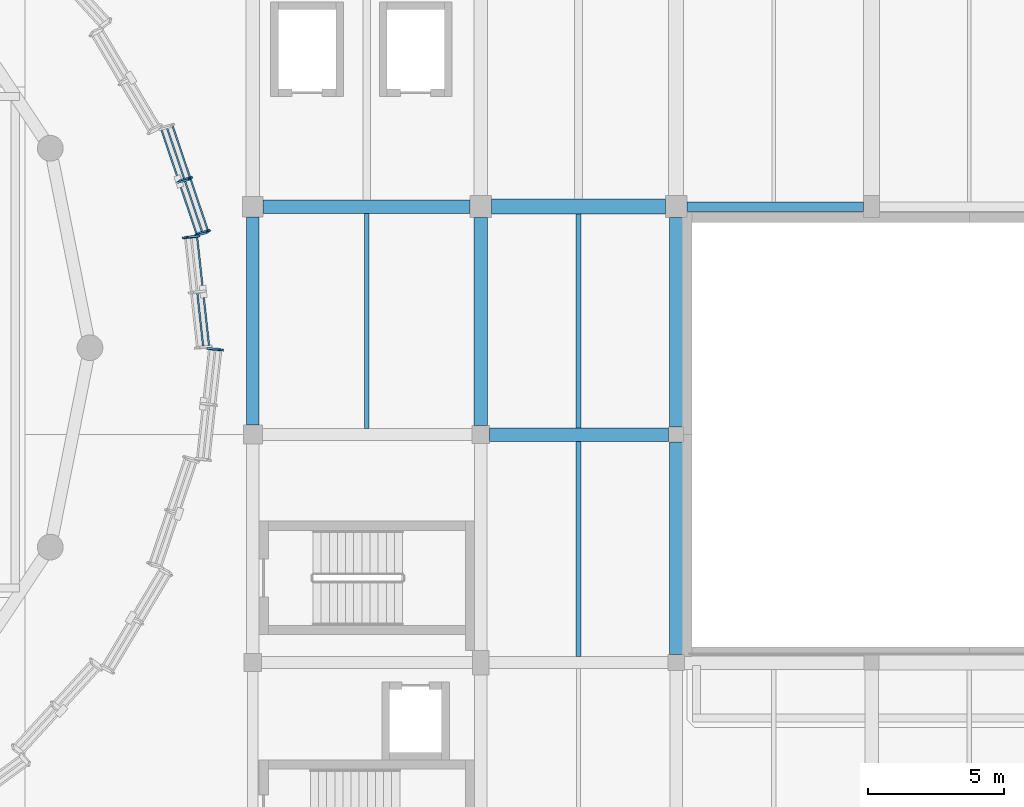
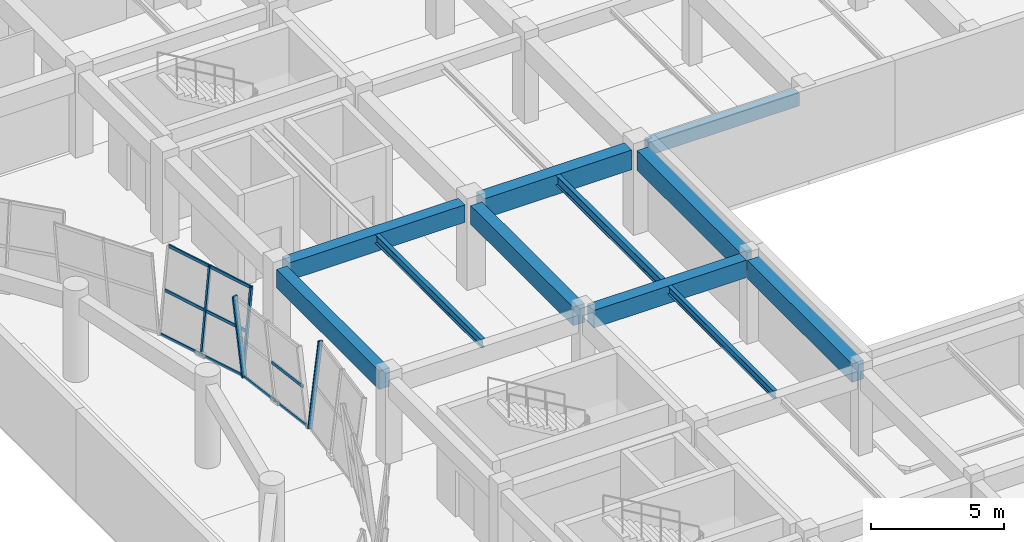
# One storey, part 31 of 71: 13 members, 11 beams, 3 elements without a shape of their own.
"""IFC4 building model written with IfcOpenShell, lengths in metres."""

from ifc_helpers import new_model, si_unit, direction, frame, origin, origin_2d, place, context, subcontext, project, spatial, rectangle, hollow_rectangle, i_section, extrude, material, material_profile, profile_set, type_object, element, aggregate, save


model = new_model("IFC4")

# Units and contexts
model_context = context("Model", 3, precision=1e-05, world=origin(), true_north=direction((0.0, 1.0)))
body_context = subcontext(model_context, "Body", "Model", "MODEL_VIEW")
ifc_project = project(units=[si_unit("LENGTHUNIT", "METRE"), si_unit("AREAUNIT", "SQUARE_METRE"), si_unit("VOLUMEUNIT", "CUBIC_METRE"), si_unit("PLANEANGLEUNIT", "RADIAN"), si_unit("MASSUNIT", "GRAM", prefix="KILO")], contexts=[model_context])

# Site, building, storey
site_placement = place(None, origin())
site = spatial("IfcSite", under=ifc_project, at=site_placement, CompositionType="ELEMENT")
building_placement = place(site_placement, origin())
building = spatial("IfcBuilding", under=site, at=building_placement, Name="Korsvaeld Concert Hall", CompositionType="ELEMENT")
storey_placement = place(building_placement, frame((0.0, 0.0, 4.800048828125)))
storey = spatial("IfcBuildingStorey", under=building, at=storey_placement, Name="L01", CompositionType="ELEMENT", Elevation=4.800048828125)

# Beams
ifc_material_1 = material(Name="Concrete C35/45", Category="concrete")
ifc_material_profile_1 = material_profile(ifc_material_1, rectangle(XDim=0.35009765625, YDim=0.60009765625, at=origin_2d()), Name="RC 350x600")
ifc_profile_set_1 = profile_set([ifc_material_profile_1], Name="Concrete C35/45")
beam_type_1 = type_object("IfcBeamType", Name="BM-RC-350x600", PredefinedType="T_BEAM", material=ifc_profile_set_1)
beam_1_placement = place(storey_placement, frame((125.199951171875, 68.39990234375, 3.5400390625), z_axis=(1.0, 0.0, 0.0), x_axis=(0.0, 1.0, 0.0)))
element("IfcBeam", 1, at=beam_1_placement, inside=storey, type_object=beam_type_1, Name="Primary girder 17-18/K L01", PredefinedType="T_BEAM", context=body_context, shape_type="SweptSolid", body=[
    extrude(rectangle(XDim=0.35009765625, YDim=0.60009765625, at=origin_2d()), origin(), (0.0, 0.0, 1.0), 6.5),
])
ifc_material_2 = material(Name="Concrete C40/50", Category="concrete")
ifc_material_profile_2 = material_profile(ifc_material_2, rectangle(XDim=0.449951171875, YDim=0.85009765625, at=origin_2d()), Name="RC 450x850")
ifc_profile_set_2 = profile_set([ifc_material_profile_2], Name="Concrete C40/50")
beam_type_2 = type_object("IfcBeamType", Name="BM-RC-450x850", PredefinedType="T_BEAM", material=ifc_profile_set_2)
beam_2_placement = place(storey_placement, frame((109.199951171875, 60.35009765625, 3.4150390625), z_axis=(0.0, 1.0, 0.0), x_axis=(-1.0, 0.0, 0.0)))
element("IfcBeam", 2, at=beam_2_placement, inside=storey, type_object=beam_type_2, Name="Primary girder 15/J-K L01", PredefinedType="T_BEAM", context=body_context, shape_type="SweptSolid", body=[
    extrude(rectangle(XDim=0.449951171875, YDim=0.85009765625, at=origin_2d()), origin(), (0.0, 0.0, 1.0), 7.6748046875),
])
ifc_material_profile_3 = material_profile(ifc_material_2, rectangle(XDim=0.5, YDim=0.800048828125, at=origin_2d()), Name="RC 500x800")
ifc_profile_set_3 = profile_set([ifc_material_profile_3], Name="Concrete C40/50")
beam_type_3 = type_object("IfcBeamType", Name="BM-RC-500x800", PredefinedType="T_BEAM", material=ifc_profile_set_3)
beam_3_placement = place(storey_placement, frame((117.925048828125, 60.0, 3.43994140625), z_axis=(1.0, 0.0, 0.0), x_axis=(0.0, 1.0, 0.0)))
element("IfcBeam", 3, at=beam_3_placement, inside=storey, type_object=beam_type_3, Name="Primary girder 16-17/J L01", PredefinedType="T_BEAM", context=body_context, shape_type="SweptSolid", body=[
    extrude(rectangle(XDim=0.5, YDim=0.800048828125, at=origin_2d()), origin(), (0.0, 0.0, 1.0), 6.599853515625),
])
beam_4_placement = place(storey_placement, frame((109.574951171875, 68.39990234375, 3.43994140625), z_axis=(1.0, 0.0, 0.0), x_axis=(0.0, 1.0, 0.0)))
element("IfcBeam", 4, at=beam_4_placement, inside=storey, type_object=beam_type_3, Name="Primary girder 15-16/K L01", PredefinedType="T_BEAM", context=body_context, shape_type="SweptSolid", body=[
    extrude(rectangle(XDim=0.5, YDim=0.800048828125, at=origin_2d()), origin(), (0.0, 0.0, 1.0), 7.625),
])
ifc_material_profile_4 = material_profile(ifc_material_2, rectangle(XDim=0.5, YDim=0.85009765625, at=origin_2d()), Name="RC 500x850")
ifc_profile_set_4 = profile_set([ifc_material_profile_4], Name="Concrete C40/50")
beam_type_4 = type_object("IfcBeamType", Name="BM-RC-500x850", PredefinedType="T_BEAM", material=ifc_profile_set_4)
beam_5_placement = place(storey_placement, frame((117.60009765625, 60.324951171875, 3.4150390625), z_axis=(0.0, 1.0, 0.0), x_axis=(-1.0, 0.0, 0.0)))
element("IfcBeam", 5, at=beam_5_placement, inside=storey, type_object=beam_type_4, Name="Primary girder 16/J-K L01", PredefinedType="T_BEAM", context=body_context, shape_type="SweptSolid", body=[
    extrude(rectangle(XDim=0.5, YDim=0.85009765625, at=origin_2d()), origin(), (0.0, 0.0, 1.0), 7.675048828125),
])
beam_6_placement = place(storey_placement, frame((124.800048828125, 51.89990234375, 3.4150390625), z_axis=(0.0, 1.0, 0.0), x_axis=(-1.0, 0.0, 0.0)))
element("IfcBeam", 6, at=beam_6_placement, inside=storey, type_object=beam_type_4, Name="Primary girder 17/H-J L01", PredefinedType="T_BEAM", context=body_context, shape_type="SweptSolid", body=[
    extrude(rectangle(XDim=0.5, YDim=0.85009765625, at=origin_2d()), origin(), (0.0, 0.0, 1.0), 7.8251953125),
])
ifc_material_profile_5 = material_profile(ifc_material_2, rectangle(XDim=0.5, YDim=0.89990234375, at=origin_2d()), Name="RC 500x900")
ifc_profile_set_5 = profile_set([ifc_material_profile_5], Name="Concrete C40/50")
beam_type_5 = type_object("IfcBeamType", Name="BM-RC-500x900", PredefinedType="T_BEAM", material=ifc_profile_set_5)
beam_7_placement = place(storey_placement, frame((124.800048828125, 60.27490234375, 3.389892578125), z_axis=(0.0, 1.0, 0.0), x_axis=(-1.0, 0.0, 0.0)))
element("IfcBeam", 7, at=beam_7_placement, inside=storey, type_object=beam_type_5, Name="Primary girder 17/J-K L01", PredefinedType="T_BEAM", context=body_context, shape_type="SweptSolid", body=[
    extrude(rectangle(XDim=0.5, YDim=0.89990234375, at=origin_2d()), origin(), (0.0, 0.0, 1.0), 7.72509765625),
])
ifc_material_profile_6 = material_profile(ifc_material_2, rectangle(XDim=0.550048828125, YDim=0.89990234375, at=origin_2d()), Name="RC 550x900")
ifc_profile_set_6 = profile_set([ifc_material_profile_6], Name="Concrete C40/50")
beam_type_6 = type_object("IfcBeamType", Name="BM-RC-550x900", PredefinedType="T_BEAM", material=ifc_profile_set_6)
beam_8_placement = place(storey_placement, frame((118.0, 68.39990234375, 3.389892578125), z_axis=(1.0, 0.0, 0.0), x_axis=(0.0, 1.0, 0.0)))
element("IfcBeam", 8, at=beam_8_placement, inside=storey, type_object=beam_type_6, Name="Primary girder 16-17/K L01", PredefinedType="T_BEAM", context=body_context, shape_type="SweptSolid", body=[
    extrude(rectangle(XDim=0.550048828125, YDim=0.89990234375, at=origin_2d()), origin(), (0.0, 0.0, 1.0), 6.39990234375),
])
ifc_material_3 = material(Name="Steel S355J2", Category="steel")
ifc_material_profile_7 = material_profile(ifc_material_3, i_section(OverallWidth=0.169921875, OverallDepth=0.360107421875, WebThickness=0.008056640625, FlangeThickness=0.0126953125, FilletRadius=0.01806640625, at=origin_2d()), Name="IPE 360")
ifc_profile_set_7 = profile_set([ifc_material_profile_7], Name="Steel S355J2")
beam_type_7 = type_object("IfcBeamType", Name="BM-STL-IPE360", PredefinedType="BEAM", material=ifc_profile_set_7)
beam_9_placement = place(storey_placement, frame((121.199951171875, 51.824951171875, 3.659912109375), z_axis=(0.0, 1.0, 0.0), x_axis=(-1.0, 0.0, 0.0)))
element("IfcBeam", 9, at=beam_9_placement, inside=storey, type_object=beam_type_7, Name="Secondary steel floor beam 16-17/H L01", PredefinedType="BEAM", context=body_context, shape_type="SweptSolid", body=[
    extrude(i_section(OverallWidth=0.169921875, OverallDepth=0.360107421875, WebThickness=0.008056640625, FlangeThickness=0.0126953125, FilletRadius=0.01806640625, at=origin_2d()), origin(), (0.0, 0.0, 1.0), 7.925048828125),
])
ifc_material_profile_8 = material_profile(ifc_material_3, i_section(OverallWidth=0.179931640625, OverallDepth=0.39990234375, WebThickness=0.008544921875, FlangeThickness=0.013427734375, FilletRadius=0.02099609375, at=origin_2d()), Name="IPE 400")
ifc_profile_set_8 = profile_set([ifc_material_profile_8], Name="Steel S355J2")
beam_type_8 = type_object("IfcBeamType", Name="BM-STL-IPE400", PredefinedType="BEAM", material=ifc_profile_set_8)
beam_10_placement = place(storey_placement, frame((113.39990234375, 60.22509765625, 3.639892578125), z_axis=(0.0, 1.0, 0.0), x_axis=(-1.0, 0.0, 0.0)))
element("IfcBeam", 10, at=beam_10_placement, inside=storey, type_object=beam_type_8, Name="Secondary steel floor beam 15-16/J L01", PredefinedType="BEAM", context=body_context, shape_type="SweptSolid", body=[
    extrude(i_section(OverallWidth=0.179931640625, OverallDepth=0.39990234375, WebThickness=0.008544921875, FlangeThickness=0.013427734375, FilletRadius=0.02099609375, at=origin_2d()), origin(), (0.0, 0.0, 1.0), 7.9248046875),
])
ifc_material_profile_9 = material_profile(ifc_material_3, i_section(OverallWidth=0.18994140625, OverallDepth=0.449951171875, WebThickness=0.009521484375, FlangeThickness=0.0146484375, FilletRadius=0.02099609375, at=origin_2d()), Name="IPE 450")
ifc_profile_set_9 = profile_set([ifc_material_profile_9], Name="Steel S355J2")
beam_type_9 = type_object("IfcBeamType", Name="BM-STL-IPE450", PredefinedType="BEAM", material=ifc_profile_set_9)
beam_11_placement = place(storey_placement, frame((121.199951171875, 60.25, 3.614990234375), z_axis=(0.0, 1.0, 0.0), x_axis=(-1.0, 0.0, 0.0)))
element("IfcBeam", 11, at=beam_11_placement, inside=storey, type_object=beam_type_9, Name="Secondary steel floor beam 16-17/J L01", PredefinedType="BEAM", context=body_context, shape_type="SweptSolid", body=[
    extrude(i_section(OverallWidth=0.18994140625, OverallDepth=0.449951171875, WebThickness=0.009521484375, FlangeThickness=0.0146484375, FilletRadius=0.02099609375, at=origin_2d()), origin(), (0.0, 0.0, 1.0), 7.875),
])

# Curtain wall, members
ifc_material_4 = material(Name="Anodised bronze and ceramic-fritted safety glass", Category="glass")
curtain_wall_type_1 = type_object("IfcCurtainWallType", Name="CW-TYPE-02", PredefinedType="USERDEFINED", material=ifc_material_4)
curtain_wall_1_placement = place(storey_placement, origin())
curtain_wall_1 = element("IfcCurtainWall", 12, at=curtain_wall_1_placement, inside=storey, type_object=curtain_wall_type_1, Name="Crystal curtain-wall facet L01 F02", ObjectType="CURTAIN WALL", PredefinedType="USERDEFINED")
ifc_material_5 = material(Name="Anodised architectural bronze aluminium", Category="aluminium")
ifc_material_profile_10 = material_profile(ifc_material_5, hollow_rectangle(XDim=0.074951171875, YDim=0.179931640625, WallThickness=0.0048828125, at=origin_2d()), Name="CWM 180x75x5")
ifc_profile_set_10 = profile_set([ifc_material_profile_10], Name="Anodised architectural bronze aluminium")
member_type_1 = type_object("IfcMemberType", Name="CWM-BRONZE-180x75", PredefinedType="MULLION", material=ifc_profile_set_10)
member_1_placement = place(storey_placement, frame((107.134521484375, 67.371337890625, 0.0), z_axis=(0.109222864708, 0.029759635719, 0.993571703455), x_axis=(0.555751470455, -0.830559253027, -0.036216436851)))
member_1 = element("IfcMember", 13, at=member_1_placement, type_object=member_type_1, Name="CW-CRYS-L01-F02 crystal mullion 1", PredefinedType="MULLION", context=body_context, shape_type="SweptSolid", body=[
    extrude(hollow_rectangle(XDim=0.074951171875, YDim=0.179931640625, WallThickness=0.0048828125, at=origin_2d()), origin(), (0.0, 0.0, 1.0), 3.905029296875),
])
member_2_placement = place(storey_placement, frame((106.47509765625, 69.324462890625, 0.0), z_axis=(0.109222864708, 0.029759635719, 0.993571703455), x_axis=(0.555751470455, -0.830559253027, -0.036216436851)))
member_2 = element("IfcMember", 14, at=member_2_placement, type_object=member_type_1, Name="CW-CRYS-L01-F02 crystal mullion 2", PredefinedType="MULLION", context=body_context, shape_type="SweptSolid", body=[
    extrude(hollow_rectangle(XDim=0.074951171875, YDim=0.179931640625, WallThickness=0.0048828125, at=origin_2d()), origin(), (0.0, 0.0, 1.0), 3.905029296875),
])

# Curtain wall, member
curtain_wall_type_2 = type_object("IfcCurtainWallType", Name="CW-TYPE-08", PredefinedType="USERDEFINED", material=ifc_material_4)
curtain_wall_2_placement = place(storey_placement, origin())
curtain_wall_2 = element("IfcCurtainWall", 15, at=curtain_wall_2_placement, inside=storey, type_object=curtain_wall_type_2, Name="Crystal curtain-wall facet L01 F32", ObjectType="CURTAIN WALL", PredefinedType="USERDEFINED")
member_3_placement = place(storey_placement, frame((107.595947265625, 63.162841796875, 0.0), z_axis=(0.112786203132, -0.010003210921, 0.993568924712), x_axis=(-0.195690629409, -0.980588019436, 0.012341543691)))
member_3 = element("IfcMember", 16, at=member_3_placement, type_object=member_type_1, Name="CW-CRYS-L01-F32 crystal mullion 3", PredefinedType="MULLION", context=body_context, shape_type="SweptSolid", body=[
    extrude(hollow_rectangle(XDim=0.074951171875, YDim=0.179931640625, WallThickness=0.0048828125, at=origin_2d()), origin(), (0.0, 0.0, 1.0), 3.905029296875),
])
aggregate(curtain_wall_2, [member_3])

# Curtain wall, members
curtain_wall_type_3 = type_object("IfcCurtainWallType", Name="CW-TYPE-01", PredefinedType="USERDEFINED", material=ifc_material_4)
curtain_wall_3_placement = place(storey_placement, origin())
curtain_wall_3 = element("IfcCurtainWall", 17, at=curtain_wall_3_placement, inside=storey, type_object=curtain_wall_type_3, Name="Crystal curtain-wall facet L01 F01", ObjectType="CURTAIN WALL", PredefinedType="USERDEFINED")
ifc_material_profile_11 = material_profile(ifc_material_5, hollow_rectangle(XDim=0.074951171875, YDim=0.219970703125, WallThickness=0.006103515625, at=origin_2d()), Name="CWM 220x75x6")
ifc_profile_set_11 = profile_set([ifc_material_profile_11], Name="Anodised architectural bronze aluminium")
member_type_2 = type_object("IfcMemberType", Name="CWM-BRONZE-220x75", PredefinedType="MULLION", material=ifc_profile_set_11)
member_4_placement = place(storey_placement, frame((107.150634765625, 67.298583984375, 0.0), z_axis=(-0.112786273449, -0.00994069705, 0.993569544151), x_axis=(-0.195151320057, 0.980695499736, -0.012340951229)))
member_4 = element("IfcMember", 18, at=member_4_placement, type_object=member_type_2, Name="CW-CRYS-L01-F01 crystal mullion 3", PredefinedType="MULLION", context=body_context, shape_type="SweptSolid", body=[
    extrude(hollow_rectangle(XDim=0.074951171875, YDim=0.219970703125, WallThickness=0.006103515625, at=origin_2d()), origin(), (0.0, 0.0, 1.0), 3.905029296875),
])
ifc_material_profile_12 = material_profile(ifc_material_5, hollow_rectangle(XDim=0.06005859375, YDim=0.139892578125, WallThickness=0.00390625, at=origin_2d()), Name="CWT 140x60x4")
ifc_profile_set_12 = profile_set([ifc_material_profile_12], Name="Anodised architectural bronze aluminium")
member_type_3 = type_object("IfcMemberType", Name="CWT-BRONZE-140x60", PredefinedType="USERDEFINED", material=ifc_profile_set_12)
member_5_placement = place(storey_placement, frame((107.58837890625, 63.274169921875, 0.030029296875), z_axis=(-0.108920048755, 0.994050513294, 0.0), x_axis=(-0.994050513294, -0.108920048755, 0.0)))
member_5 = element("IfcMember", 19, at=member_5_placement, type_object=member_type_3, Name="CW-CRYS-L01-F01 crystal transom 1.1", ObjectType="TRANSOM", PredefinedType="USERDEFINED", context=body_context, shape_type="SweptSolid", body=[
    extrude(hollow_rectangle(XDim=0.06005859375, YDim=0.139892578125, WallThickness=0.00390625, at=origin_2d()), origin(), (0.0, 0.0, 1.0), 1.968017578125),
])
member_6_placement = place(storey_placement, frame((107.37158203125, 63.255126953125, 1.93994140625), z_axis=(-0.108933482058, 0.994049041289, 0.0), x_axis=(-0.994049041289, -0.108933482058, 0.0)))
member_6 = element("IfcMember", 20, at=member_6_placement, type_object=member_type_3, Name="CW-CRYS-L01-F01 crystal transom 1.2", ObjectType="TRANSOM", PredefinedType="USERDEFINED", context=body_context, shape_type="SweptSolid", body=[
    extrude(hollow_rectangle(XDim=0.06005859375, YDim=0.139892578125, WallThickness=0.00390625, at=origin_2d()), origin(), (0.0, 0.0, 1.0), 1.9677734375),
])
member_7_placement = place(storey_placement, frame((107.36572265625, 65.304931640625, 0.030029296875), z_axis=(-0.108933482058, 0.994049041289, 0.0), x_axis=(-0.994049041289, -0.108933482058, 0.0)))
member_7 = element("IfcMember", 21, at=member_7_placement, type_object=member_type_3, Name="CW-CRYS-L01-F01 crystal transom 2.1", ObjectType="TRANSOM", PredefinedType="USERDEFINED", context=body_context, shape_type="SweptSolid", body=[
    extrude(hollow_rectangle(XDim=0.06005859375, YDim=0.139892578125, WallThickness=0.00390625, at=origin_2d()), origin(), (0.0, 0.0, 1.0), 1.9677734375),
])
aggregate(curtain_wall_3, [member_4, member_5, member_6, member_7])

# Member
member_8_placement = place(storey_placement, frame((107.125732421875, 67.407958984375, 0.030029296875), z_axis=(-0.319949676143, 0.947434538497, 0.0), x_axis=(-0.947434538497, -0.319949676143, 0.0)))
member_8 = element("IfcMember", 22, at=member_8_placement, type_object=member_type_3, Name="CW-CRYS-L01-F02 crystal transom 1.1", ObjectType="TRANSOM", PredefinedType="USERDEFINED", context=body_context, shape_type="SweptSolid", body=[
    extrude(hollow_rectangle(XDim=0.06005859375, YDim=0.139892578125, WallThickness=0.00390625, at=origin_2d()), origin(), (0.0, 0.0, 1.0), 1.986328125),
])

member_9_placement = place(storey_placement, frame((107.335693359375, 67.465087890625, 1.93994140625), z_axis=(-0.319949676143, 0.947434538497, 0.0), x_axis=(-0.947434538497, -0.319949676143, 0.0)))
member_9 = element("IfcMember", 23, at=member_9_placement, type_object=member_type_3, Name="CW-CRYS-L01-F02 crystal transom 1.2", ObjectType="TRANSOM", PredefinedType="USERDEFINED", context=body_context, shape_type="SweptSolid", body=[
    extrude(hollow_rectangle(XDim=0.06005859375, YDim=0.139892578125, WallThickness=0.00390625, at=origin_2d()), origin(), (0.0, 0.0, 1.0), 1.986328125),
])

member_10_placement = place(storey_placement, frame((107.545654296875, 67.522216796875, 3.849853515625), z_axis=(-0.319912420616, 0.947447118912, 0.0), x_axis=(-0.947447118912, -0.319912420616, 0.0)))
member_10 = element("IfcMember", 24, at=member_10_placement, type_object=member_type_3, Name="CW-CRYS-L01-F02 crystal transom 1.3", ObjectType="TRANSOM", PredefinedType="USERDEFINED", context=body_context, shape_type="SweptSolid", body=[
    extrude(hollow_rectangle(XDim=0.06005859375, YDim=0.139892578125, WallThickness=0.00390625, at=origin_2d()), origin(), (0.0, 0.0, 1.0), 1.986572265625),
])

member_11_placement = place(storey_placement, frame((106.46630859375, 69.36083984375, 0.030029296875), z_axis=(-0.319949676143, 0.947434538497, 0.0), x_axis=(-0.947434538497, -0.319949676143, 0.0)))
member_11 = element("IfcMember", 25, at=member_11_placement, type_object=member_type_3, Name="CW-CRYS-L01-F02 crystal transom 2.1", ObjectType="TRANSOM", PredefinedType="USERDEFINED", context=body_context, shape_type="SweptSolid", body=[
    extrude(hollow_rectangle(XDim=0.06005859375, YDim=0.139892578125, WallThickness=0.00390625, at=origin_2d()), origin(), (0.0, 0.0, 1.0), 1.986328125),
])

member_12_placement = place(storey_placement, frame((106.67626953125, 69.41796875, 1.93994140625), z_axis=(-0.319912420616, 0.947447118912, 0.0), x_axis=(-0.947447118912, -0.319912420616, 0.0)))
member_12 = element("IfcMember", 26, at=member_12_placement, type_object=member_type_3, Name="CW-CRYS-L01-F02 crystal transom 2.2", ObjectType="TRANSOM", PredefinedType="USERDEFINED", context=body_context, shape_type="SweptSolid", body=[
    extrude(hollow_rectangle(XDim=0.06005859375, YDim=0.139892578125, WallThickness=0.00390625, at=origin_2d()), origin(), (0.0, 0.0, 1.0), 1.986572265625),
])

member_13_placement = place(storey_placement, frame((106.88623046875, 69.475341796875, 3.849853515625), z_axis=(-0.319949676143, 0.947434538497, 0.0), x_axis=(-0.947434538497, -0.319949676143, 0.0)))
member_13 = element("IfcMember", 27, at=member_13_placement, type_object=member_type_3, Name="CW-CRYS-L01-F02 crystal transom 2.3", ObjectType="TRANSOM", PredefinedType="USERDEFINED", context=body_context, shape_type="SweptSolid", body=[
    extrude(hollow_rectangle(XDim=0.06005859375, YDim=0.139892578125, WallThickness=0.00390625, at=origin_2d()), origin(), (0.0, 0.0, 1.0), 1.986328125),
])

aggregate(curtain_wall_1, [member_1, member_2, member_8, member_9, member_10, member_11, member_12, member_13])

save(model, "model.ifc")
